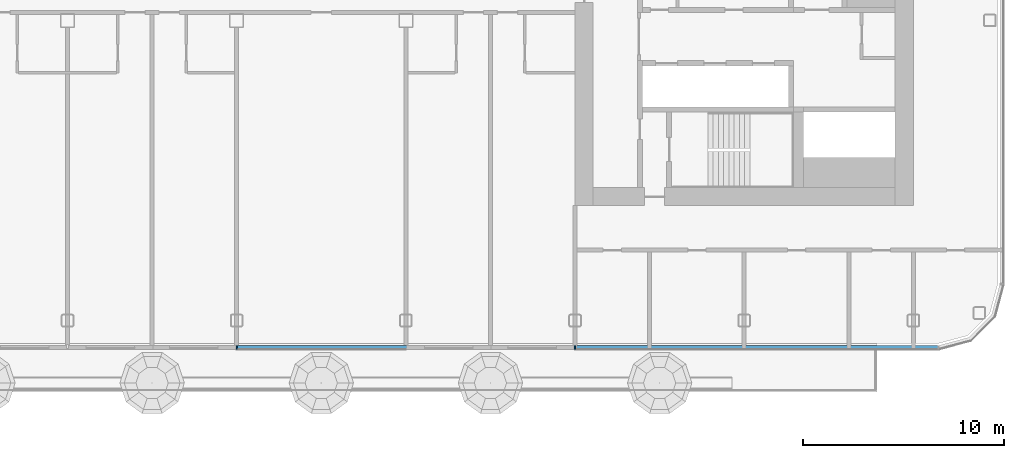
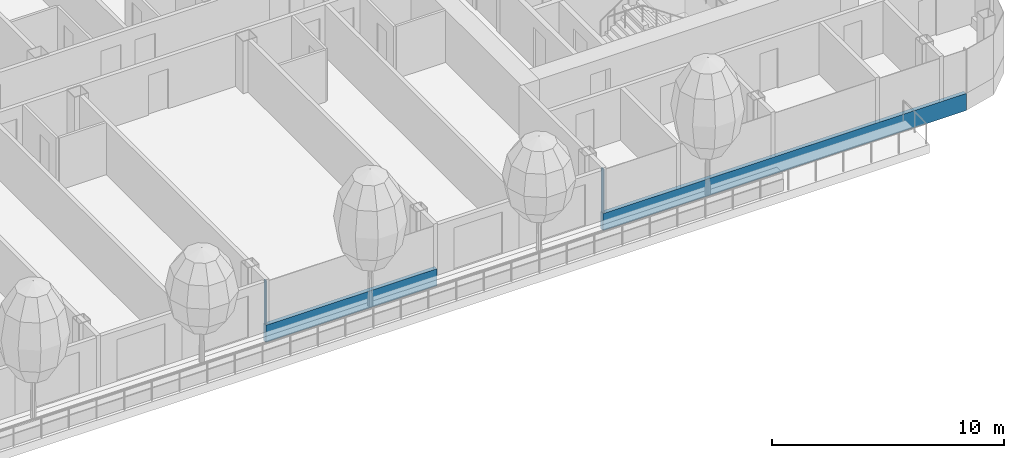
# One storey, part 3 of 29: 4 members, 1 element without a shape of its own.
"""IFC4 building model written with IfcOpenShell, lengths in metres."""

from ifc_helpers import new_model, si_unit, direction, frame, origin, origin_2d, place, context, subcontext, project, spatial, rectangle, extrude, material, layer, layer_set, material_profile, profile_set, type_object, element, aggregate, save


model = new_model("IFC4")

# Units and contexts
model_context = context("Model", 3, precision=1e-05, world=origin(), true_north=direction((0.0, 1.0)))
body_context = subcontext(model_context, "Body", "Model", "MODEL_VIEW")
ifc_project = project(units=[si_unit("LENGTHUNIT", "METRE"), si_unit("AREAUNIT", "SQUARE_METRE"), si_unit("VOLUMEUNIT", "CUBIC_METRE"), si_unit("PLANEANGLEUNIT", "RADIAN"), si_unit("MASSUNIT", "GRAM", prefix="KILO")], contexts=[model_context])

# Site, building, storey
site_placement = place(None, origin())
site = spatial("IfcSite", under=ifc_project, at=site_placement, CompositionType="ELEMENT")
building_placement = place(site_placement, origin())
building = spatial("IfcBuilding", under=site, at=building_placement, Name="Hakoniwa Tower and Hamabe Station Hall", CompositionType="ELEMENT")
storey_placement = place(building_placement, frame((0.0, 0.0, 205.800048828125)))
storey = spatial("IfcBuildingStorey", under=building, at=storey_placement, Name="L58", CompositionType="ELEMENT", Elevation=205.800048828125)

# Curtain wall, members
ifc_material_1 = material(Name="Dark low-e laminated glass", Category="glass")
ifc_layer = layer(ifc_material_1, 0.199951171875)
ifc_layer_set = layer_set([ifc_layer], Name="CW-1 UNITISED GUEST")
curtain_wall_type = type_object("IfcCurtainWallType", Name="CW-1 UNITISED GUEST", PredefinedType="NOTDEFINED", material=ifc_layer_set)
curtain_wall_placement = place(storey_placement, origin())
curtain_wall = element("IfcCurtainWall", 1, at=curtain_wall_placement, inside=storey, type_object=curtain_wall_type, Name="CW-1 curtain wall", PredefinedType="NOTDEFINED")
ifc_material_2 = material(Name="Aluminium 6063-T5 black anodised", Category="aluminium")
ifc_material_profile_1 = material_profile(ifc_material_2, rectangle(XDim=0.199951171875, YDim=0.89990234375, at=origin_2d()), Name="CW SLAB-EDGE BAND 900X200")
ifc_profile_set_1 = profile_set([ifc_material_profile_1], Name="Aluminium 6063-T5 black anodised")
member_type_1 = type_object("IfcMemberType", Name="CW SLAB-EDGE BAND 900X200", PredefinedType="USERDEFINED", material=ifc_profile_set_1)
member_1_placement = place(storey_placement, frame((-0.06005859375, -15.449951171875, -0.10009765625), z_axis=(1.0, 0.0, 0.0), x_axis=(0.0, 1.0, 0.0)))
member_1 = element("IfcMember", 2, at=member_1_placement, type_object=member_type_1, Name="CW-1 transom", ObjectType="TRANSOM", PredefinedType="USERDEFINED", context=body_context, shape_type="SweptSolid", body=[
    extrude(rectangle(XDim=0.199951171875, YDim=0.89990234375, at=origin_2d()), origin(), (0.0, 0.0, 1.0), 8.52001953125),
])
member_2_placement = place(storey_placement, frame((16.739990234375, -15.449951171875, -0.10009765625), z_axis=(1.0, 0.0, 0.0), x_axis=(0.0, 1.0, 0.0)))
member_2 = element("IfcMember", 3, at=member_2_placement, type_object=member_type_1, Name="CW-1 transom", ObjectType="TRANSOM", PredefinedType="USERDEFINED", context=body_context, shape_type="SweptSolid", body=[
    extrude(rectangle(XDim=0.199951171875, YDim=0.89990234375, at=origin_2d()), origin(), (0.0, 0.0, 1.0), 18.099609375),
])
ifc_material_3 = material(Name="Aluminium 6063-T5 black anodised", Category="aluminium")
ifc_material_profile_2 = material_profile(ifc_material_3, rectangle(XDim=0.06005859375, YDim=0.179931640625, at=origin_2d()), Name="CW-1 MULLION 60X180")
ifc_profile_set_2 = profile_set([ifc_material_profile_2], Name="Aluminium 6063-T5 black anodised")
member_type_2 = type_object("IfcMemberType", Name="CW-1 MULLION 60X180", PredefinedType="MULLION", material=ifc_profile_set_2)
member_3_placement = place(storey_placement, frame((0.0, -15.431884765625, 0.349853515625), z_axis=(0.0, 0.0, 1.0), x_axis=(1.0, 0.0, 0.0)))
member_3 = element("IfcMember", 4, at=member_3_placement, type_object=member_type_2, Name="CW-1 mullion", PredefinedType="MULLION", context=body_context, shape_type="SweptSolid", body=[
    extrude(rectangle(XDim=0.06005859375, YDim=0.179931640625, at=origin_2d()), origin(), (0.0, 0.0, 1.0), 2.300048828125),
])
member_4_placement = place(storey_placement, frame((16.800048828125, -15.431884765625, 0.349853515625), z_axis=(0.0, 0.0, 1.0), x_axis=(1.0, 0.0, 0.0)))
member_4 = element("IfcMember", 5, at=member_4_placement, type_object=member_type_2, Name="CW-1 mullion", PredefinedType="MULLION", context=body_context, shape_type="SweptSolid", body=[
    extrude(rectangle(XDim=0.06005859375, YDim=0.179931640625, at=origin_2d()), origin(), (0.0, 0.0, 1.0), 2.300048828125),
])
aggregate(curtain_wall, [member_3, member_4, member_1, member_2])

save(model, "model.ifc")
